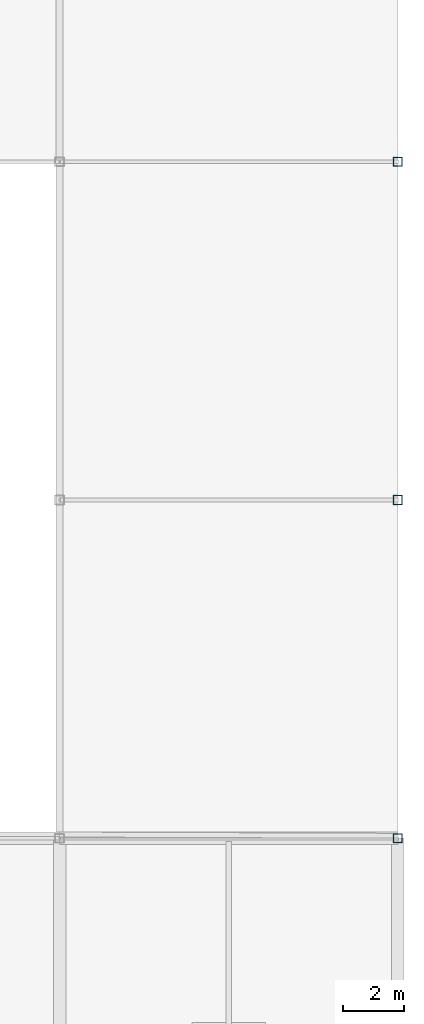
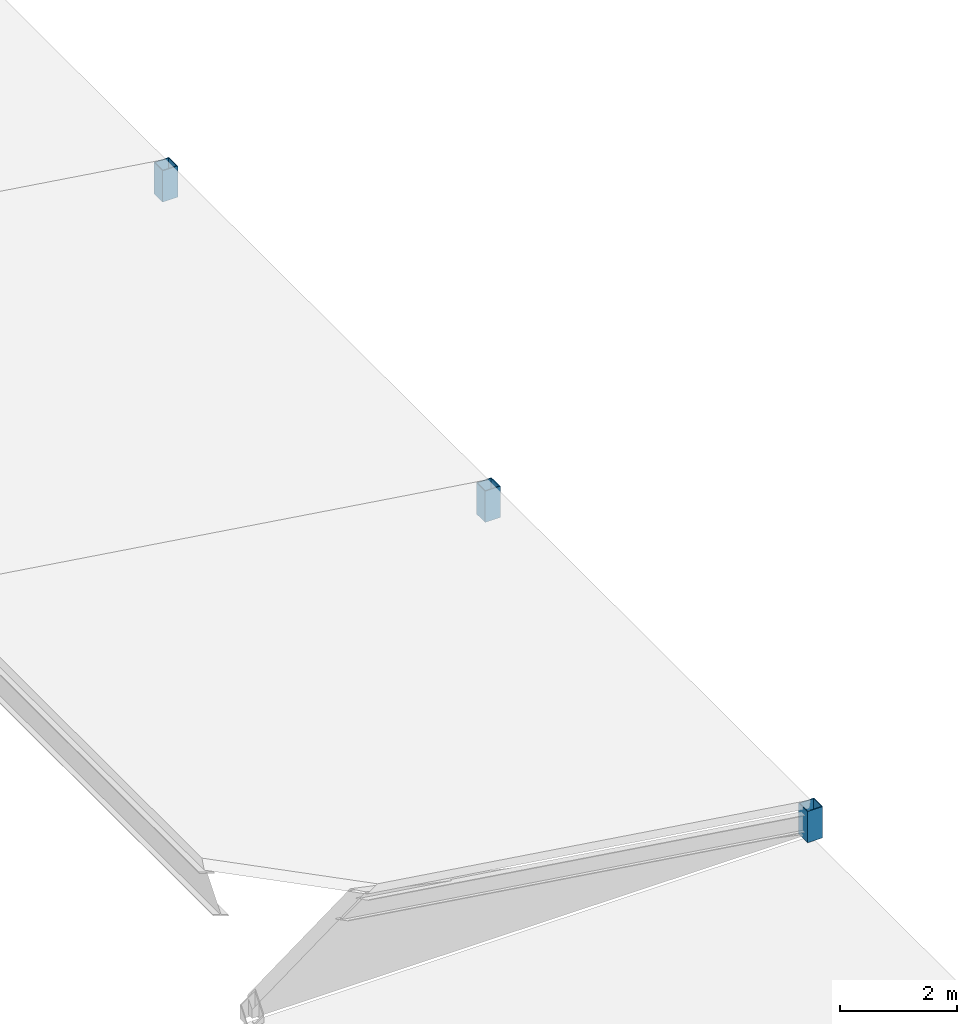
# One storey, part 21 of 77: 3 columns.
"""IFC4 building model written with IfcOpenShell, lengths in metres."""

from ifc_helpers import new_model, si_unit, direction, frame, origin, origin_2d, place, context, subcontext, project, spatial, hollow_rectangle, extrude, material, material_profile, profile_set, type_object, element, save


model = new_model("IFC4")

# Units and contexts
model_context = context("Model", 3, precision=1e-05, world=origin(), true_north=direction((0.0, 1.0)))
body_context = subcontext(model_context, "Body", "Model", "MODEL_VIEW")
ifc_project = project(units=[si_unit("LENGTHUNIT", "METRE"), si_unit("AREAUNIT", "SQUARE_METRE"), si_unit("VOLUMEUNIT", "CUBIC_METRE"), si_unit("PLANEANGLEUNIT", "RADIAN"), si_unit("MASSUNIT", "GRAM", prefix="KILO")], contexts=[model_context])

# Site, building, storey
site_placement = place(None, origin())
site = spatial("IfcSite", under=ifc_project, at=site_placement, CompositionType="ELEMENT")
building_placement = place(site_placement, origin())
building = spatial("IfcBuilding", under=site, at=building_placement, Name="Luwafu Chhajja Arena", CompositionType="ELEMENT")
storey_placement = place(building_placement, frame((0.0, 0.0, 14.699951171875)))
storey = spatial("IfcBuildingStorey", under=building, at=storey_placement, Name="L03", CompositionType="ELEMENT", Elevation=14.699951171875)

# Columns
ifc_material = material(Name="Steel S355", Category="steel")
ifc_material_profile = material_profile(ifc_material, hollow_rectangle(XDim=0.300048828125, YDim=0.300048828125, WallThickness=0.01611328125, at=origin_2d()), Name="SHS 300x300x16")
ifc_profile_set = profile_set([ifc_material_profile], Name="Steel S355")
column_type = type_object("IfcColumnType", Name="Steel Gallery Post SHS 300", PredefinedType="COLUMN", material=ifc_profile_set)
for number, where, z_axis, x_axis, name in (
    (1, (187.0, 33.0, 0.0), (0.0, 0.0, 1.0), (1.0, 0.0, 0.0), "East Pavilion Eave Post 3"),
    (2, (187.0, 44.0, 0.0), (0.0, 0.0, 1.0), (1.0, 0.0, 0.0), "East Pavilion Eave Post 4"),
    (3, (187.0, 55.0, 0.0), (0.0, 0.0, 1.0), (1.0, 0.0, 0.0), "East Pavilion Eave Post 5"),
):
    element("IfcColumn", number, at=place(storey_placement, frame(where, z_axis=z_axis, x_axis=x_axis)), inside=storey, type_object=column_type, Name=name, PredefinedType="COLUMN", context=body_context, shape_type="SweptSolid", body=[
        extrude(hollow_rectangle(XDim=0.300048828125, YDim=0.300048828125, WallThickness=0.01611328125, at=origin_2d()), origin(), (0.0, 0.0, 1.0), 0.650146484375),
    ])

save(model, "model.ifc")
